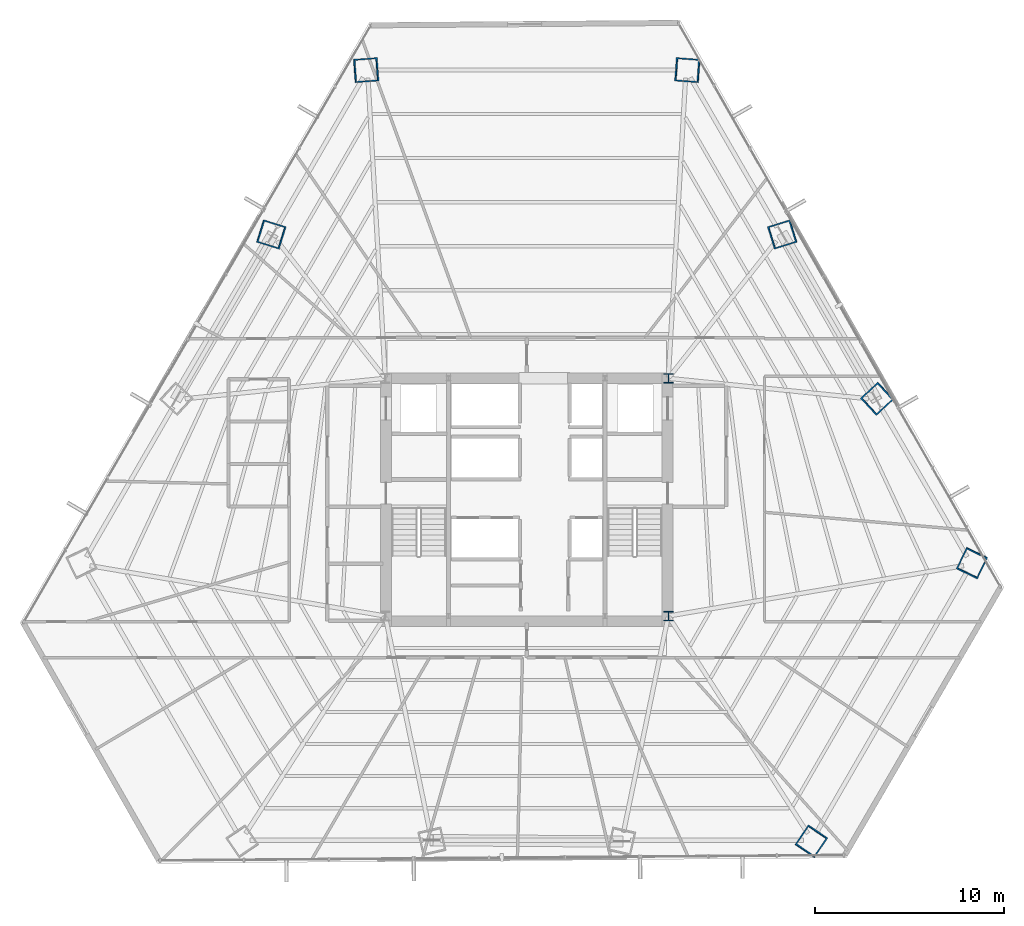
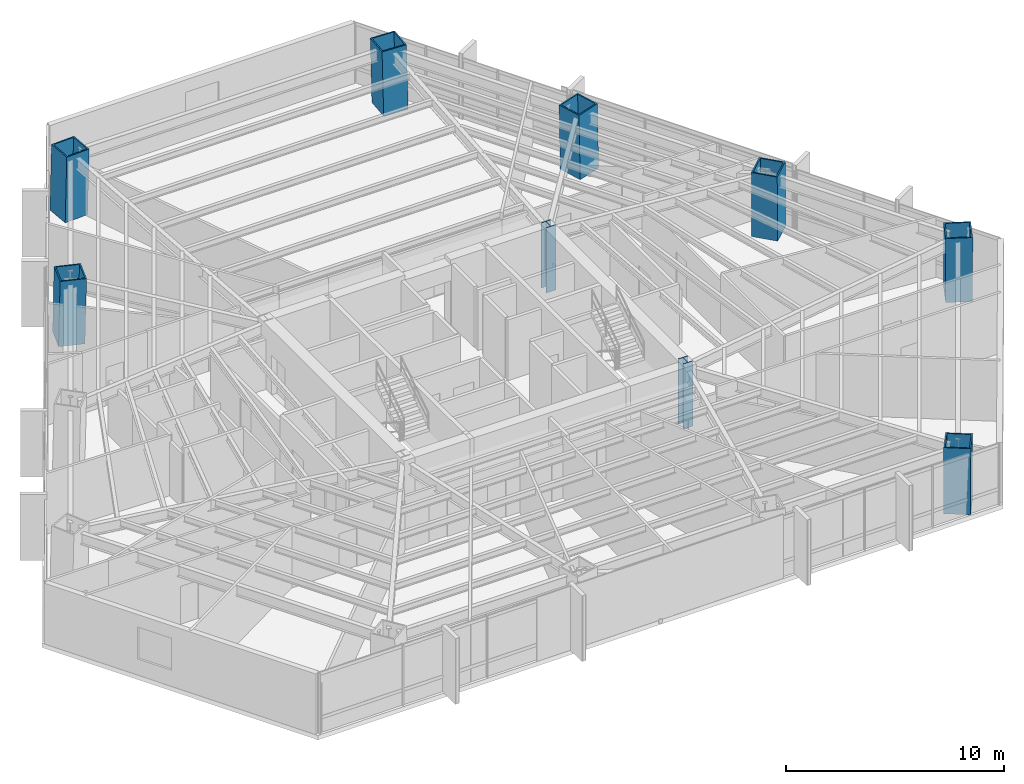
# One storey, part 3 of 36: 9 columns.
"""IFC4 building model written with IfcOpenShell, lengths in metres."""

from ifc_helpers import new_model, si_unit, direction, frame, origin, origin_2d, place, context, subcontext, project, spatial, hollow_rectangle, i_section, extrude, source, transform, mapped, material, material_profile, profile_set, type_object, type_shapes, element, save


model = new_model("IFC4")

# Units and contexts
model_context = context("Model", 3, precision=1e-05, world=origin(), true_north=direction((0.0, 1.0)))
body_context = subcontext(model_context, "Body", "Model", "MODEL_VIEW")
ifc_project = project(units=[si_unit("LENGTHUNIT", "METRE"), si_unit("AREAUNIT", "SQUARE_METRE"), si_unit("VOLUMEUNIT", "CUBIC_METRE"), si_unit("PLANEANGLEUNIT", "RADIAN"), si_unit("MASSUNIT", "GRAM", prefix="KILO")], contexts=[model_context])

# Site, building, storey
site_placement = place(None, origin())
site = spatial("IfcSite", under=ifc_project, at=site_placement, CompositionType="ELEMENT")
building_placement = place(site_placement, origin())
building = spatial("IfcBuilding", under=site, at=building_placement, Name="Caelisora Broadcast Tower", CompositionType="ELEMENT")
storey_placement = place(building_placement, frame((0.0, 0.0, 60.449951171875)))
storey = spatial("IfcBuildingStorey", under=building, at=storey_placement, Name="L15", CompositionType="ELEMENT", Elevation=60.449951171875)

# Columns
ifc_material_1 = material(Name="Steel Grade 350 L15 (AS/NZS 3678)", Category="steel")
ifc_material_profile_1 = material_profile(ifc_material_1, hollow_rectangle(XDim=1.25, YDim=1.25, WallThickness=0.070068359375, at=origin_2d()), Name="Steel Grade 350 L15 (AS/NZS 3678)")
ifc_profile_set_1 = profile_set([ifc_material_profile_1], Name="Steel Grade 350 L15 (AS/NZS 3678)")
column_type_1 = type_object("IfcColumnType", Name="MC02", PredefinedType="COLUMN", material=ifc_profile_set_1)
shared_shape_1 = source(origin(), body_context, "Body", "SweptSolid", [
    extrude(hollow_rectangle(XDim=1.25, YDim=1.25, WallThickness=0.070068359375, at=origin_2d()), origin(), (0.0, 0.0, 1.0), 3.65087890625),
])
for number, where, z_axis, x_axis, name in (
    (1, (24.4482421875, 37.62646484375, 0.0), (0.01939269685, -0.00601842316, 0.999793829693), (0.296399214872, 0.955064136811, 0.0), "L15 column MC02"),
    (2, (56.57666015625, 28.9228515625, 0.0), (-0.014912316331, -0.013775502979, 0.999793907933), (0.678553674548, -0.734550822447, 0.0), "L15 column MC02"),
    (3, (51.5517578125, 37.62646484375, 0.0), (-0.01939269685, -0.00601842316, 0.999793829693), (0.296399214872, -0.955064136811, 0.0), "L15 column MC02"),
):
    element("IfcColumn", number, at=place(storey_placement, frame(where, z_axis=z_axis, x_axis=x_axis)), inside=storey, type_object=column_type_1, Name=name, PredefinedType="COLUMN", context=body_context, shape_type="MappedRepresentation", body=[
        mapped(shared_shape_1, transform((0.0, 0.0, 0.0), scale=1.0)),
    ])
ifc_material_2 = material(Name="Steel Grade 350 (AS/NZS 3679.2)", Category="steel")
ifc_material_profile_2 = material_profile(ifc_material_2, i_section(OverallWidth=0.5, OverallDepth=0.5, WebThickness=0.028076171875, FlangeThickness=0.0400390625, at=origin_2d()), Name="Steel Grade 350 (AS/NZS 3679.2)")
ifc_profile_set_2 = profile_set([ifc_material_profile_2], Name="Steel Grade 350 (AS/NZS 3679.2)")
column_type_2 = type_object("IfcColumnType", Name="CC01", PredefinedType="COLUMN", material=ifc_profile_set_2)
shared_shape_2 = source(origin(), body_context, "Body", "SweptSolid", [
    extrude(i_section(OverallWidth=0.5, OverallDepth=0.5, WebThickness=0.028076171875, FlangeThickness=0.0400390625, at=origin_2d()), origin(), (0.0, 0.0, 1.0), 3.650146484375),
])
type_shapes(column_type_2, [shared_shape_2])
for number, where, z_axis, x_axis, name in (
    (4, (45.5, 17.39990234375, 0.0), (0.0, 0.0, 1.0), (1.0, 0.0, 0.0), "L15 column CC01"),
    (5, (45.5, 30.0, 0.0), (0.0, 0.0, 1.0), (1.0, 0.0, 0.0), "L15 column CC01"),
):
    element("IfcColumn", number, at=place(storey_placement, frame(where, z_axis=z_axis, x_axis=x_axis)), inside=storey, type_object=column_type_2, Name=name, PredefinedType="COLUMN", context=body_context, shape_type="MappedRepresentation", body=[
        mapped(shared_shape_2, transform((0.0, 0.0, 0.0), scale=1.0)),
    ])
shared_shape_3 = source(origin(), body_context, "Body", "SweptSolid", [
    extrude(hollow_rectangle(XDim=1.25, YDim=1.25, WallThickness=0.070068359375, at=origin_2d()), origin(), (0.0, 0.0, 1.0), 3.651123046875),
])
type_shapes(column_type_1, [shared_shape_1, shared_shape_3])
for number, where, z_axis, x_axis, name in (
    (6, (46.52685546875, 46.329833984375, 0.0), (-0.023871161178, 0.00173851594, 0.999713531581), (-0.07263675076, -0.997358462359, 0.0), "L15 column MC02"),
    (7, (29.47314453125, 46.329833984375, 0.0), (0.023871161178, 0.00173851594, 0.999713531581), (-0.07263675076, 0.997358462359, 0.0), "L15 column MC02"),
    (8, (53.07470703125, 5.45068359375, 0.0), (0.013440068782, 0.019792340097, 0.999713772949), (-0.827290216258, 0.561774775229, 0.0), "L15 column MC02"),
    (9, (61.6015625, 20.219482421875, 0.0), (-0.010364239282, -0.021530871282, 0.999714461297), (0.901042175273, -0.433731481886, 0.0), "L15 column MC02"),
):
    element("IfcColumn", number, at=place(storey_placement, frame(where, z_axis=z_axis, x_axis=x_axis)), inside=storey, type_object=column_type_1, Name=name, PredefinedType="COLUMN", context=body_context, shape_type="MappedRepresentation", body=[
        mapped(shared_shape_3, transform((0.0, 0.0, 0.0), scale=1.0)),
    ])

save(model, "model.ifc")
